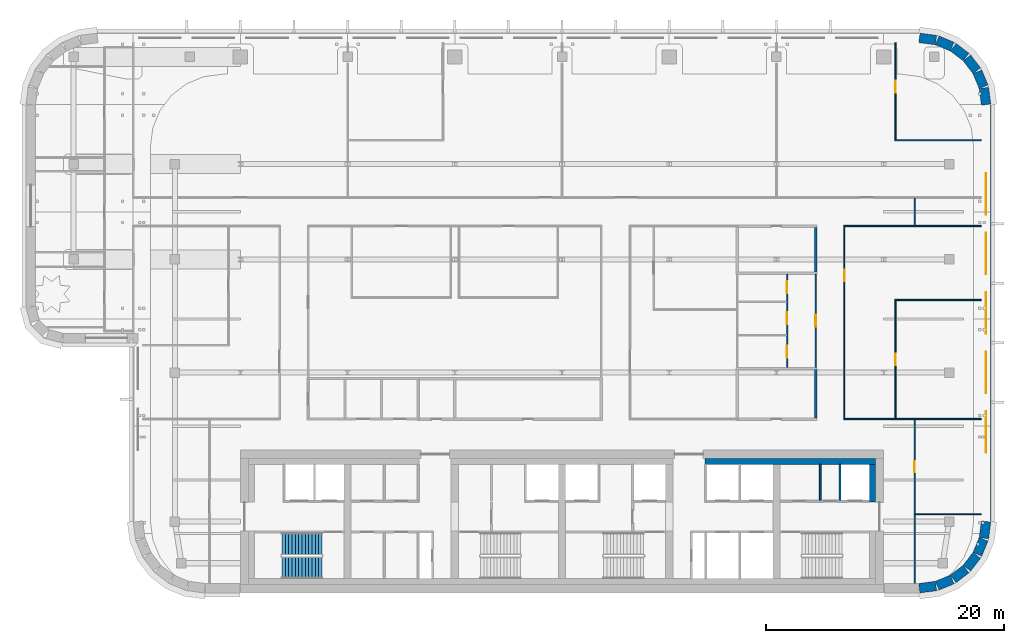
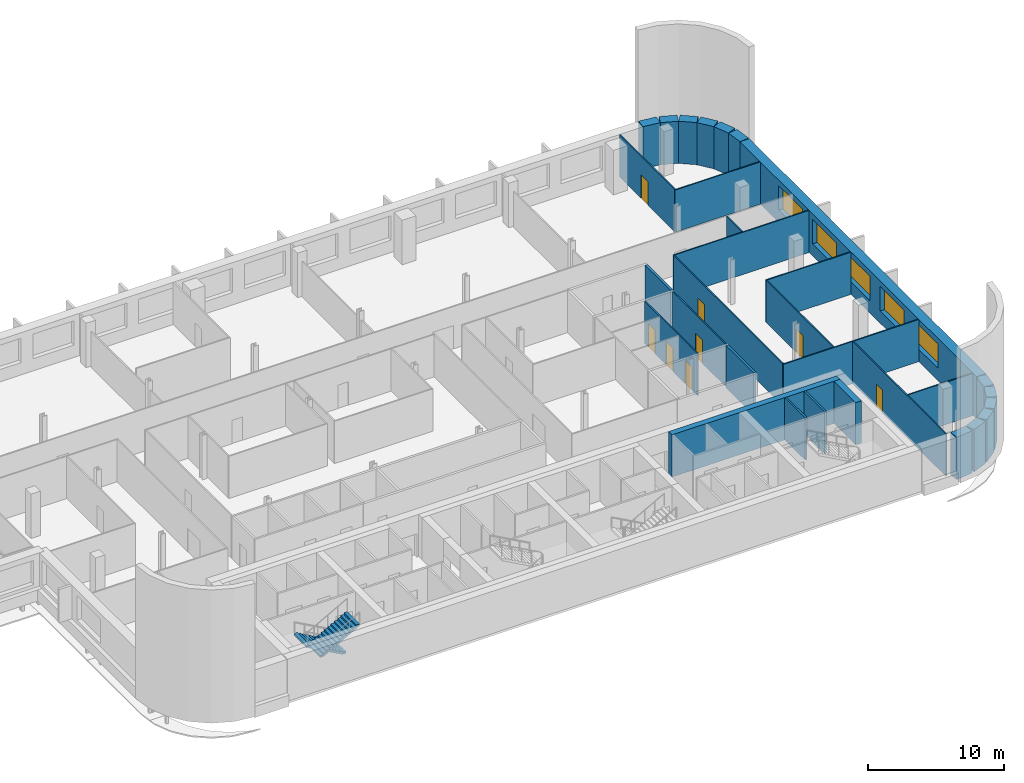
# One storey, part 11 of 19: 31 walls, 8 doors, 5 windows, 2 stair flights, 13 openings, 1 element without a shape of its own.
"""IFC4 building model written with IfcOpenShell, lengths in metres."""

import ifcopenshell
import ifcopenshell.guid

model = None  # the IFC model being written
_history = None  # IfcOwnerHistory: only IFC2X3 demands one
_inside = {}  # id of a spatial element -> (the spatial element, [elements in it])
_under = {}  # id of a project, library or spatial element -> (it, [spatial elements below it])
_declared = {}  # id of a project -> (the project, [libraries it declares])
_typed = {}  # id of a type object -> (the type object, [elements of that type])
_made_of = {}  # id of a material, layer set ... -> (it, [elements and type objects made of it])


def new_model(schema):
    """Start an empty IFC model of exactly this schema.

    Asked for "IFC4X3", IfcOpenShell would pick the latest addendum, in which some entities
    have other attributes; the version numbers below select the first issue.
    IFC2X3 requires an IfcOwnerHistory on every rooted entity: one is made here for all.
    """
    global model, _history
    if schema == "IFC4X3":
        model = ifcopenshell.file(schema_version=(4, 3, 0, 0))
    else:
        model = ifcopenshell.file(schema=schema)
    _inside.clear()
    _under.clear()
    _declared.clear()
    _typed.clear()
    _made_of.clear()
    _history = None
    if model.schema == "IFC2X3":
        org = make("IfcOrganization", Name="unknown")
        user = make(
            "IfcPersonAndOrganization",
            ThePerson=make("IfcPerson", FamilyName="unknown"),
            TheOrganization=org,
        )
        app = make(
            "IfcApplication",
            ApplicationDeveloper=org,
            Version="unknown",
            ApplicationFullName="unknown",
            ApplicationIdentifier="unknown",
        )
        _history = make(
            "IfcOwnerHistory",
            OwningUser=user,
            OwningApplication=app,
            ChangeAction="ADDED",
            CreationDate=0,
        )
    return model


def make(cls, **values):
    """One entity of the class cls with the attributes given. An attribute that is None is left unset."""
    return model.create_entity(
        cls, **{name: value for name, value in values.items() if value is not None}
    )


def rooted(cls, **values):
    """An entity with a GlobalId (a new one), such as an element, a storey or a relation."""
    return make(cls, GlobalId=ifcopenshell.guid.new(), OwnerHistory=_history, **values)


def si_unit(unit_type, name, prefix=None):
    """IfcSIUnit, for example si_unit("LENGTHUNIT", "METRE", prefix="MILLI")."""
    return make("IfcSIUnit", UnitType=unit_type, Prefix=prefix, Name=name)


def assignment(units):
    """IfcUnitAssignment: the units of a project."""
    return None if units is None else make("IfcUnitAssignment", Units=units)


def point(xyz):
    """IfcCartesianPoint."""
    return None if xyz is None else make("IfcCartesianPoint", Coordinates=xyz)


def direction(xyz):
    """IfcDirection."""
    return None if xyz is None else make("IfcDirection", DirectionRatios=xyz)


def frame(location, z_axis=None, x_axis=None):
    """IfcAxis2Placement3D, a coordinate frame: its origin and axes. An axis left out is left unset."""
    return make(
        "IfcAxis2Placement3D",
        Location=point(location),
        Axis=direction(z_axis),
        RefDirection=direction(x_axis),
    )


def frame_2d(location, x_axis=None):
    """IfcAxis2Placement2D, a coordinate frame in the plane: its origin and x axis."""
    return make(
        "IfcAxis2Placement2D", Location=point(location), RefDirection=direction(x_axis)
    )


def origin():
    """The frame at (0, 0, 0) with its axes left unset."""
    return frame((0.0, 0.0, 0.0))


def place(relative_to, where):
    """IfcLocalPlacement: puts the frame where relative to a parent placement (None: the world)."""
    return make(
        "IfcLocalPlacement", PlacementRelTo=relative_to, RelativePlacement=where
    )


def context(
    kind, dimensions, precision=None, world=None, true_north=None, identifier=None
):
    """IfcGeometricRepresentationContext, for example the 3D "Model" context."""
    return make(
        "IfcGeometricRepresentationContext",
        ContextIdentifier=identifier,
        ContextType=kind,
        CoordinateSpaceDimension=dimensions,
        Precision=precision,
        WorldCoordinateSystem=world,
        TrueNorth=true_north,
    )


def subcontext(parent, identifier, kind, view, scale=None):
    """IfcGeometricRepresentationSubContext, for example "Body" below "Model"."""
    return make(
        "IfcGeometricRepresentationSubContext",
        ContextIdentifier=identifier,
        ContextType=kind,
        ParentContext=parent,
        TargetScale=scale,
        TargetView=view,
    )


def project(units=None, contexts=None):
    """IfcProject with its units and contexts."""
    return rooted(
        "IfcProject",
        Name="project",
        RepresentationContexts=contexts,
        UnitsInContext=assignment(units),
    )


def spatial(cls, under=None, at=None, **own):
    """A site, building, storey or space (cls), placed at a placement, below another one or the project."""
    s = rooted(cls, ObjectPlacement=at, **own)
    if under is not None:
        _under.setdefault(under.id(), (under, []))[1].append(s)
    return s


def polyline(points):
    """IfcPolyline through the points."""
    return make("IfcPolyline", Points=[point(p) for p in points])


def profile(cls, at=None, kind="AREA", **sizes):
    """A parametric profile (cls). Its sizes go by their IFC names, for example OverallWidth=200.0."""
    return make(cls, ProfileType=kind, Position=at, **sizes)


def rectangle(**sizes):
    """IfcRectangleProfileDef."""
    return profile("IfcRectangleProfileDef", **sizes)


def outline(outer, holes=None, kind="AREA"):
    """IfcArbitraryClosedProfileDef: a profile drawn as a closed curve; with holes, ...WithVoids."""
    if holes is None:
        return make("IfcArbitraryClosedProfileDef", ProfileType=kind, OuterCurve=outer)
    return make(
        "IfcArbitraryProfileDefWithVoids",
        ProfileType=kind,
        OuterCurve=outer,
        InnerCurves=holes,
    )


def extrude(swept, where, along, depth):
    """IfcExtrudedAreaSolid: the profile swept, set in the frame where, extruded along a direction by depth."""
    return make(
        "IfcExtrudedAreaSolid",
        SweptArea=swept,
        Position=where,
        ExtrudedDirection=direction(along),
        Depth=depth,
    )


def shape(context_of_items, identifier, shape_type, items):
    """IfcShapeRepresentation: the items that make up one representation, for example the "Body"."""
    return make(
        "IfcShapeRepresentation",
        ContextOfItems=context_of_items,
        RepresentationIdentifier=identifier,
        RepresentationType=shape_type,
        Items=items,
    )


def material(Name=None, Category=None):
    """IfcMaterial."""
    return make("IfcMaterial", Name=Name, Category=Category)


def layer(
    of_material, thickness, ventilated=None, Name=None, Category=None, Priority=None
):
    """IfcMaterialLayer: one layer of a wall or slab, of a material (None: an air gap)."""
    return make(
        "IfcMaterialLayer",
        Material=of_material,
        LayerThickness=thickness,
        IsVentilated=ventilated,
        Name=Name,
        Category=Category,
        Priority=Priority,
    )


def layer_set(layers, Name=None):
    """IfcMaterialLayerSet."""
    return make("IfcMaterialLayerSet", MaterialLayers=layers, LayerSetName=Name)


def made_of(thing, what):
    """Note that an element or type object is made of a material, layer set ...; save() writes the relation."""
    if what is not None:
        _made_of.setdefault(what.id(), (what, []))[1].append(thing)
    return thing


def type_object(cls, material=None, **own):
    """A type object (cls), such as IfcWallType, which elements share."""
    return made_of(rooted(cls, **own), material)


def element(
    cls,
    number,
    at=None,
    inside=None,
    cuts=None,
    type_object=None,
    material=None,
    context=None,
    identifier="Body",
    shape_type=None,
    held_by="IfcProductDefinitionShape",
    body=None,
    shapes=None,
    **own,
):
    """One element of the class cls, such as IfcWall. Its Tag is "e" and its number.

    at: its placement. inside: the storey or other place that contains it. cuts: it is an
    opening in that element (IfcRelVoidsElement). A single representation is given by context,
    identifier, shape_type and body (its items); several are given by shapes. held_by: the class
    of the entity that holds the representations. save() writes the other relations.
    """
    e = rooted(cls, Tag="e%d" % number, ObjectPlacement=at, **own)
    if body is not None:
        shapes = [shape(context, identifier, shape_type, body)]
    if shapes is not None:
        e.Representation = make(held_by, Representations=shapes)
    if inside is not None:
        _inside.setdefault(inside.id(), (inside, []))[1].append(e)
    if cuts is not None:
        rooted(
            "IfcRelVoidsElement", RelatingBuildingElement=cuts, RelatedOpeningElement=e
        )
    if type_object is not None:
        _typed.setdefault(type_object.id(), (type_object, []))[1].append(e)
    return made_of(e, material)


def fill(opening, filler):
    """IfcRelFillsElement: the door or window that sits in an opening."""
    return rooted(
        "IfcRelFillsElement",
        RelatingOpeningElement=opening,
        RelatedBuildingElement=filler,
    )


def aggregate(whole, parts):
    """IfcRelAggregates: a whole, such as a stair, and the parts it consists of."""
    return rooted("IfcRelAggregates", RelatingObject=whole, RelatedObjects=parts)


def save(model, path):
    """Write the relations noted so far, then the file.

    IfcRelAggregates (storeys below a building ...), IfcRelContainedInSpatialStructure (elements
    in a storey), IfcRelDefinesByType, IfcRelAssociatesMaterial and IfcRelDeclares: one each for
    every whole, place, type object, material and project.
    """
    for whole, parts in _under.values():
        aggregate(whole, parts)
    for where, things in _inside.values():
        rooted(
            "IfcRelContainedInSpatialStructure",
            RelatedElements=things,
            RelatingStructure=where,
        )
    for kind, things in _typed.values():
        rooted("IfcRelDefinesByType", RelatedObjects=things, RelatingType=kind)
    for what, things in _made_of.values():
        rooted("IfcRelAssociatesMaterial", RelatedObjects=things, RelatingMaterial=what)
    for by, libraries in _declared.values():
        rooted("IfcRelDeclares", RelatingContext=by, RelatedDefinitions=libraries)
    model.write(path)


model = new_model("IFC4")

# Units and contexts
model_context = context("Model", 3, precision=1e-05, world=origin(), true_north=direction((0.0, 1.0)))
body_context = subcontext(model_context, "Body", "Model", "MODEL_VIEW")
ifc_project = project(units=[si_unit("LENGTHUNIT", "METRE"), si_unit("AREAUNIT", "SQUARE_METRE"), si_unit("VOLUMEUNIT", "CUBIC_METRE"), si_unit("PLANEANGLEUNIT", "RADIAN"), si_unit("MASSUNIT", "GRAM", prefix="KILO")], contexts=[model_context])

# Site, building, storey
site_placement = place(None, origin())
site = spatial("IfcSite", under=ifc_project, at=site_placement, CompositionType="ELEMENT")
building_placement = place(site_placement, origin())
building = spatial("IfcBuilding", under=site, at=building_placement, Name="Zellij Exchange Tower", CompositionType="ELEMENT")
storey_placement = place(building_placement, frame((0.0, 0.0, 220.5)))
storey = spatial("IfcBuildingStorey", under=building, at=storey_placement, Name="L51", CompositionType="ELEMENT", Elevation=220.5)

# Walls
ifc_material_1 = material(Name="Concrete C30/37", Category="concrete")
ifc_layer_1 = layer(ifc_material_1, 0.5)
ifc_layer_set_1 = layer_set([ifc_layer_1], Name="Concrete C30/37")
wall_type_1 = type_object("IfcWallType", Name="CORE-LW 500 C30/37", PredefinedType="SHEAR", material=ifc_layer_set_1)
wall_1_placement = place(storey_placement, frame((12.0, -2.949951171875, 0.0), z_axis=(0.0, 0.0, 1.0), x_axis=(1.0, 0.0, 0.0)))
element("IfcWall", 1, at=wall_1_placement, inside=storey, type_object=wall_type_1, Name="Core wall lining front.2 L51", PredefinedType="SHEAR", context=body_context, shape_type="SweptSolid", body=[
    extrude(rectangle(XDim=14.300048828125, YDim=0.5, at=frame_2d((7.14990234375, 0.0))), origin(), (0.0, 0.0, 1.0), 3.800048828125),
])
wall_2_placement = place(storey_placement, frame((26.050048828125, -6.375, 0.0), z_axis=(0.0, 0.0, 1.0), x_axis=(0.0, 1.0, 0.0)))
element("IfcWall", 2, at=wall_2_placement, inside=storey, type_object=wall_type_1, Name="Core wall lining end e.1 L51", PredefinedType="SHEAR", context=body_context, shape_type="SweptSolid", body=[
    extrude(rectangle(XDim=3.175048828125, YDim=0.5, at=frame_2d((1.58740234375, 0.0))), origin(), (0.0, 0.0, 1.0), 3.800048828125),
])
ifc_material_2 = material(Name="Gypsum board partition")
ifc_layer_2 = layer(ifc_material_2, 0.14990234375)
ifc_layer_set_2 = layer_set([ifc_layer_2], Name="Gypsum board partition")
wall_type_2 = type_object("IfcWallType", Name="CORE-PW 150 Lift lobby wall", PredefinedType="PARTITIONING", material=ifc_layer_set_2)
wall_3_placement = place(storey_placement, frame((21.675048828125, -6.22509765625, 0.0), z_axis=(0.0, 0.0, 1.0), x_axis=(0.0, 1.0, 0.0)))
element("IfcWall", 3, at=wall_3_placement, inside=storey, type_object=wall_type_2, Name="Lift lobby wall L51", PredefinedType="PARTITIONING", context=body_context, shape_type="SweptSolid", body=[
    extrude(rectangle(XDim=3.025146484375, YDim=0.14990234375, at=frame_2d((1.5126953125, 0.0))), origin(), (0.0, 0.0, 1.0), 3.800048828125),
])
ifc_material_3 = material(Name="Gypsum shaft wall system")
ifc_layer_3 = layer(ifc_material_3, 0.14990234375)
ifc_layer_set_3 = layer_set([ifc_layer_3], Name="Gypsum shaft wall system")
wall_type_3 = type_object("IfcWallType", Name="CORE-PW 150 Lift shaft wall", PredefinedType="PARTITIONING", material=ifc_layer_set_3)
wall_4_placement = place(storey_placement, frame((23.324951171875, -6.22509765625, 0.0), z_axis=(0.0, 0.0, 1.0), x_axis=(0.0, 1.0, 0.0)))
element("IfcWall", 4, at=wall_4_placement, inside=storey, type_object=wall_type_3, Name="Lift shaft wall L51", PredefinedType="PARTITIONING", context=body_context, shape_type="SweptSolid", body=[
    extrude(rectangle(XDim=3.025146484375, YDim=0.14990234375, at=frame_2d((1.5126953125, 0.0))), origin(), (0.0, 0.0, 1.0), 3.800048828125),
])
ifc_material_4 = material(Name="Precast concrete C40/50", Category="concrete")
ifc_layer_4 = layer(ifc_material_4, 0.800048828125)
ifc_layer_set_4 = layer_set([ifc_layer_4], Name="Precast concrete C40/50")
wall_type_4 = type_object("IfcWallType", Name="ENV-EW1 Precast stone-piered wall 800", PredefinedType="SOLIDWALL", material=ifc_layer_set_4)
wall_5_placement = place(storey_placement, frame((29.999755859375, -13.5966796875, 0.0), z_axis=(0.0, 0.0, 1.0), x_axis=(0.99144603414, 0.130517283865, 0.0)))
element("IfcWall", 5, at=wall_5_placement, inside=storey, type_object=wall_type_4, Name="fac.L51.01", PredefinedType="SOLIDWALL", context=body_context, shape_type="SweptSolid", body=[
    extrude(rectangle(XDim=1.408447265625, YDim=0.800048828125, at=frame_2d((0.7041015625, 0.0))), origin(), (0.0, 0.0, 1.0), 3.800048828125),
])
wall_6_placement = place(storey_placement, frame((31.497314453125, -13.3857421875, 0.0), z_axis=(0.0, 0.0, 1.0), x_axis=(0.923847774587, 0.38276009378, 0.0)))
element("IfcWall", 6, at=wall_6_placement, inside=storey, type_object=wall_type_4, Name="fac.L51.02", PredefinedType="SOLIDWALL", context=body_context, shape_type="SweptSolid", body=[
    extrude(rectangle(XDim=1.35546875, YDim=0.800048828125, at=frame_2d((0.677734375, 0.0))), origin(), (0.0, 0.0, 1.0), 3.800048828125),
])
for number, where, z_axis, x_axis, name in (
    (7, (32.840087890625, -12.814697265625, 0.0), (0.0, 0.0, 1.0), (0.793272915452, 0.608866226366, 0.0), "fac.L51.03"),
    (8, (33.9892578125, -11.91552734375, 0.0), (0.0, 0.0, 1.0), (0.608866226366, 0.793272915452, 0.0), "fac.L51.04"),
):
    element("IfcWall", number, at=place(storey_placement, frame(where, z_axis=z_axis, x_axis=x_axis)), inside=storey, type_object=wall_type_4, Name=name, PredefinedType="SOLIDWALL", context=body_context, shape_type="SweptSolid", body=[
        extrude(rectangle(XDim=1.355712890625, YDim=0.800048828125, at=frame_2d((0.677734375, 0.0))), origin(), (0.0, 0.0, 1.0), 3.800048828125),
    ])
wall_7_placement = place(storey_placement, frame((34.866943359375, -10.74951171875, 0.0), z_axis=(0.0, 0.0, 1.0), x_axis=(0.38276009378, 0.923847774587, 0.0)))
element("IfcWall", 9, at=wall_7_placement, inside=storey, type_object=wall_type_4, Name="fac.L51.05", PredefinedType="SOLIDWALL", context=body_context, shape_type="SweptSolid", body=[
    extrude(rectangle(XDim=1.35546875, YDim=0.800048828125, at=frame_2d((0.677734375, 0.0))), origin(), (0.0, 0.0, 1.0), 3.800048828125),
])
wall_8_placement = place(storey_placement, frame((35.412841796875, -9.396240234375, 0.0), z_axis=(0.0, 0.0, 1.0), x_axis=(0.130517283865, 0.99144603414, 0.0)))
element("IfcWall", 10, at=wall_8_placement, inside=storey, type_object=wall_type_4, Name="fac.L51.06", PredefinedType="SOLIDWALL", context=body_context, shape_type="SweptSolid", body=[
    extrude(rectangle(XDim=1.408447265625, YDim=0.800048828125, at=frame_2d((0.7041015625, 0.0))), origin(), (0.0, 0.0, 1.0), 3.800048828125),
])

# Wall, openings, windows
wall_9_placement = place(storey_placement, frame((35.60009765625, -7.947509765625, 0.0), z_axis=(0.0, 0.0, 1.0), x_axis=(0.0, 1.0, 0.0)))
wall_9 = element("IfcWall", 11, at=wall_9_placement, inside=storey, type_object=wall_type_4, Name="fac.L51.07", PredefinedType="SOLIDWALL", context=body_context, shape_type="SweptSolid", body=[
    extrude(rectangle(XDim=34.89501953125, YDim=0.800048828125, at=frame_2d((17.447509765625, 0.0))), origin(), (0.0, 0.0, 1.0), 3.800048828125),
])
opening_1_placement = place(wall_9_placement, frame((5.71240234375, 0.0, 1.10009765625)))
opening_1 = element("IfcOpeningElement", 12, at=opening_1_placement, cuts=wall_9, Name="Opening FZ4.01", PredefinedType="OPENING", context=body_context, shape_type="SweptSolid", body=[
    extrude(rectangle(XDim=3.5, YDim=2.199951171875, at=frame_2d((1.75, 1.10009765625))), frame((0.0, 0.412109375, 0.0), z_axis=(0.0, -1.0, 0.0), x_axis=(1.0, 0.0, 0.0)), (0.0, 0.0, 1.0), 0.823974609375),
])
opening_2_placement = place(wall_9_placement, frame((10.705078125, 0.0, 1.10009765625)))
opening_2 = element("IfcOpeningElement", 13, at=opening_2_placement, cuts=wall_9, Name="Opening FZ4.02", PredefinedType="OPENING", context=body_context, shape_type="SweptSolid", body=[
    extrude(rectangle(XDim=3.5, YDim=2.199951171875, at=frame_2d((1.75, 1.10009765625))), frame((0.0, 0.412109375, 0.0), z_axis=(0.0, -1.0, 0.0), x_axis=(1.0, 0.0, 0.0)), (0.0, 0.0, 1.0), 0.823974609375),
])
opening_3_placement = place(wall_9_placement, frame((15.697509765625, 0.0, 1.10009765625)))
opening_3 = element("IfcOpeningElement", 14, at=opening_3_placement, cuts=wall_9, Name="Opening FZ4.03", PredefinedType="OPENING", context=body_context, shape_type="SweptSolid", body=[
    extrude(rectangle(XDim=3.5, YDim=2.199951171875, at=frame_2d((1.75, 1.10009765625))), frame((0.0, 0.412109375, 0.0), z_axis=(0.0, -1.0, 0.0), x_axis=(1.0, 0.0, 0.0)), (0.0, 0.0, 1.0), 0.823974609375),
])
opening_4_placement = place(wall_9_placement, frame((20.690185546875, 0.0, 1.10009765625)))
opening_4 = element("IfcOpeningElement", 15, at=opening_4_placement, cuts=wall_9, Name="Opening FZ4.04", PredefinedType="OPENING", context=body_context, shape_type="SweptSolid", body=[
    extrude(rectangle(XDim=3.5, YDim=2.199951171875, at=frame_2d((1.75, 1.10009765625))), frame((0.0, 0.412109375, 0.0), z_axis=(0.0, -1.0, 0.0), x_axis=(1.0, 0.0, 0.0)), (0.0, 0.0, 1.0), 0.823974609375),
])
opening_5_placement = place(wall_9_placement, frame((25.6826171875, 0.0, 1.10009765625)))
opening_5 = element("IfcOpeningElement", 16, at=opening_5_placement, cuts=wall_9, Name="Opening FZ4.05", PredefinedType="OPENING", context=body_context, shape_type="SweptSolid", body=[
    extrude(rectangle(XDim=3.5, YDim=2.199951171875, at=frame_2d((1.75, 1.10009765625))), frame((0.0, 0.412109375, 0.0), z_axis=(0.0, -1.0, 0.0), x_axis=(1.0, 0.0, 0.0)), (0.0, 0.0, 1.0), 0.823974609375),
])
ifc_material_5 = material(Name="Aluminium frame with insulating glass", Category="aluminium")
window_type = type_object("IfcWindowType", Name="ENV-W7 Window 3500x2200", PartitioningType="SINGLE_PANEL", PredefinedType="WINDOW", material=ifc_material_5)
window_1_placement = place(opening_1_placement, origin())
window_1 = element("IfcWindow", 17, at=window_1_placement, inside=storey, type_object=window_type, Name="Window FZ4.01", OverallHeight=2.199951171875, OverallWidth=3.5, PartitioningType="SINGLE_PANEL", PredefinedType="WINDOW", context=body_context, shape_type="SweptSolid", body=[
    extrude(rectangle(XDim=3.5, YDim=2.199951171875, at=frame_2d((1.75, 1.10009765625))), frame((0.0, 0.030029296875, 0.0), z_axis=(0.0, -1.0, 0.0), x_axis=(1.0, 0.0, 0.0)), (0.0, 0.0, 1.0), 0.06005859375),
])
fill(opening_1, window_1)
window_2_placement = place(opening_2_placement, origin())
window_2 = element("IfcWindow", 18, at=window_2_placement, inside=storey, type_object=window_type, Name="Window FZ4.02", OverallHeight=2.199951171875, OverallWidth=3.5, PartitioningType="SINGLE_PANEL", PredefinedType="WINDOW", context=body_context, shape_type="SweptSolid", body=[
    extrude(rectangle(XDim=3.5, YDim=2.199951171875, at=frame_2d((1.75, 1.10009765625))), frame((0.0, 0.030029296875, 0.0), z_axis=(0.0, -1.0, 0.0), x_axis=(1.0, 0.0, 0.0)), (0.0, 0.0, 1.0), 0.06005859375),
])
fill(opening_2, window_2)
window_3_placement = place(opening_3_placement, origin())
window_3 = element("IfcWindow", 19, at=window_3_placement, inside=storey, type_object=window_type, Name="Window FZ4.03", OverallHeight=2.199951171875, OverallWidth=3.5, PartitioningType="SINGLE_PANEL", PredefinedType="WINDOW", context=body_context, shape_type="SweptSolid", body=[
    extrude(rectangle(XDim=3.5, YDim=2.199951171875, at=frame_2d((1.75, 1.10009765625))), frame((0.0, 0.030029296875, 0.0), z_axis=(0.0, -1.0, 0.0), x_axis=(1.0, 0.0, 0.0)), (0.0, 0.0, 1.0), 0.06005859375),
])
fill(opening_3, window_3)
window_4_placement = place(opening_4_placement, origin())
window_4 = element("IfcWindow", 20, at=window_4_placement, inside=storey, type_object=window_type, Name="Window FZ4.04", OverallHeight=2.199951171875, OverallWidth=3.5, PartitioningType="SINGLE_PANEL", PredefinedType="WINDOW", context=body_context, shape_type="SweptSolid", body=[
    extrude(rectangle(XDim=3.5, YDim=2.199951171875, at=frame_2d((1.75, 1.10009765625))), frame((0.0, 0.030029296875, 0.0), z_axis=(0.0, -1.0, 0.0), x_axis=(1.0, 0.0, 0.0)), (0.0, 0.0, 1.0), 0.06005859375),
])
fill(opening_4, window_4)
window_5_placement = place(opening_5_placement, origin())
window_5 = element("IfcWindow", 21, at=window_5_placement, inside=storey, type_object=window_type, Name="Window FZ4.05", OverallHeight=2.199951171875, OverallWidth=3.5, PartitioningType="SINGLE_PANEL", PredefinedType="WINDOW", context=body_context, shape_type="SweptSolid", body=[
    extrude(rectangle(XDim=3.5, YDim=2.199951171875, at=frame_2d((1.75, 1.10009765625))), frame((0.0, 0.030029296875, 0.0), z_axis=(0.0, -1.0, 0.0), x_axis=(1.0, 0.0, 0.0)), (0.0, 0.0, 1.0), 0.06005859375),
])
fill(opening_5, window_5)

# Walls
wall_10_placement = place(storey_placement, frame((35.5966796875, 26.999755859375, 0.0), z_axis=(0.0, 0.0, 1.0), x_axis=(-0.130517283865, 0.99144603414, 0.0)))
element("IfcWall", 22, at=wall_10_placement, inside=storey, type_object=wall_type_4, Name="fac.L51.08", PredefinedType="SOLIDWALL", context=body_context, shape_type="SweptSolid", body=[
    extrude(rectangle(XDim=1.408447265625, YDim=0.800048828125, at=frame_2d((0.7041015625, 0.0))), origin(), (0.0, 0.0, 1.0), 3.800048828125),
])
wall_11_placement = place(storey_placement, frame((35.3857421875, 28.497314453125, 0.0), z_axis=(0.0, 0.0, 1.0), x_axis=(-0.38276009378, 0.923847774587, 0.0)))
element("IfcWall", 23, at=wall_11_placement, inside=storey, type_object=wall_type_4, Name="fac.L51.09", PredefinedType="SOLIDWALL", context=body_context, shape_type="SweptSolid", body=[
    extrude(rectangle(XDim=1.35546875, YDim=0.800048828125, at=frame_2d((0.677734375, 0.0))), origin(), (0.0, 0.0, 1.0), 3.800048828125),
])
for number, where, z_axis, x_axis, name in (
    (24, (34.814697265625, 29.840087890625, 0.0), (0.0, 0.0, 1.0), (-0.608866226366, 0.793272915452, 0.0), "fac.L51.10"),
    (25, (33.91552734375, 30.9892578125, 0.0), (0.0, 0.0, 1.0), (-0.793272915452, 0.608866226366, 0.0), "fac.L51.11"),
):
    element("IfcWall", number, at=place(storey_placement, frame(where, z_axis=z_axis, x_axis=x_axis)), inside=storey, type_object=wall_type_4, Name=name, PredefinedType="SOLIDWALL", context=body_context, shape_type="SweptSolid", body=[
        extrude(rectangle(XDim=1.355712890625, YDim=0.800048828125, at=frame_2d((0.677734375, 0.0))), origin(), (0.0, 0.0, 1.0), 3.800048828125),
    ])
wall_12_placement = place(storey_placement, frame((32.74951171875, 31.866943359375, 0.0), z_axis=(0.0, 0.0, 1.0), x_axis=(-0.923847774587, 0.38276009378, 0.0)))
element("IfcWall", 26, at=wall_12_placement, inside=storey, type_object=wall_type_4, Name="fac.L51.12", PredefinedType="SOLIDWALL", context=body_context, shape_type="SweptSolid", body=[
    extrude(rectangle(XDim=1.35546875, YDim=0.800048828125, at=frame_2d((0.677734375, 0.0))), origin(), (0.0, 0.0, 1.0), 3.800048828125),
])
wall_13_placement = place(storey_placement, frame((31.396240234375, 32.412841796875, 0.0), z_axis=(0.0, 0.0, 1.0), x_axis=(-0.99144603414, 0.130517283865, 0.0)))
element("IfcWall", 27, at=wall_13_placement, inside=storey, type_object=wall_type_4, Name="fac.L51.13", PredefinedType="SOLIDWALL", context=body_context, shape_type="SweptSolid", body=[
    extrude(rectangle(XDim=1.408447265625, YDim=0.800048828125, at=frame_2d((0.7041015625, 0.0))), origin(), (0.0, 0.0, 1.0), 3.800048828125),
])
ifc_material_6 = material(Name="Blockwork partition", Category="masonry")
ifc_layer_5 = layer(ifc_material_6, 0.199951171875)
ifc_layer_set_5 = layer_set([ifc_layer_5], Name="Blockwork partition")
wall_type_5 = type_object("IfcWallType", Name="FIT-BLOCKWORK-200", PredefinedType="PARTITIONING", material=ifc_layer_set_5)
wall_14_placement = place(storey_placement, frame((21.300048828125, 0.699951171875, 0.0), z_axis=(0.0, 0.0, 1.0), x_axis=(0.0, 1.0, 0.0)))
element("IfcWall", 28, at=wall_14_placement, inside=storey, type_object=wall_type_5, Name="FIT-BLOCKWORK-200 018", PredefinedType="PARTITIONING", context=body_context, shape_type="SweptSolid", body=[
    extrude(rectangle(XDim=4.050048828125, YDim=0.199951171875, at=frame_2d((2.02490234375, 0.0))), origin(), (0.0, 0.0, 1.0), 3.800048828125),
])
wall_15_placement = place(storey_placement, frame((21.300048828125, 12.949951171875, 0.0), z_axis=(0.0, 0.0, 1.0), x_axis=(0.0, 1.0, 0.0)))
element("IfcWall", 29, at=wall_15_placement, inside=storey, type_object=wall_type_5, Name="FIT-BLOCKWORK-200 049", PredefinedType="PARTITIONING", context=body_context, shape_type="SweptSolid", body=[
    extrude(rectangle(XDim=3.75, YDim=0.199951171875, at=frame_2d((1.875, 0.0))), origin(), (0.0, 0.0, 1.0), 3.800048828125),
])

# Wall, opening, door
ifc_material_7 = material(Name="Gypsum board partition on steel studs", Category="steel")
ifc_layer_6 = layer(ifc_material_7, 0.10009765625)
ifc_layer_set_6 = layer_set([ifc_layer_6], Name="Gypsum board partition on steel studs")
wall_type_6 = type_object("IfcWallType", Name="FIT-PARTITION-100", PredefinedType="PARTITIONING", material=ifc_layer_set_6)
wall_16_placement = place(storey_placement, frame((29.60009765625, -13.199951171875, 0.0), z_axis=(0.0, 0.0, 1.0), x_axis=(0.0, 1.0, 0.0)))
wall_16 = element("IfcWall", 30, at=wall_16_placement, inside=storey, type_object=wall_type_6, Name="FIT-PARTITION-100 002", PredefinedType="PARTITIONING", context=body_context, shape_type="SweptSolid", body=[
    extrude(rectangle(XDim=13.75, YDim=0.10009765625, at=frame_2d((6.875, 0.0))), origin(), (0.0, 0.0, 1.0), 3.800048828125),
])
opening_6_placement = place(wall_16_placement, frame((9.35009765625, 0.0, 0.0)))
opening_6 = element("IfcOpeningElement", 31, at=opening_6_placement, cuts=wall_16, Name="Opening O4A.02", PredefinedType="OPENING", context=body_context, shape_type="SweptSolid", body=[
    extrude(rectangle(XDim=0.89990234375, YDim=2.10009765625, at=frame_2d((0.449951171875, 1.050048828125))), frame((0.0, 0.06201171875, 0.0), z_axis=(0.0, -1.0, 0.0), x_axis=(1.0, 0.0, 0.0)), (0.0, 0.0, 1.0), 0.1240234375),
])
ifc_material_8 = material(Name="Timber door set", Category="wood")
door_type_1 = type_object("IfcDoorType", Name="FIT-D1-ROOM-900X2100", OperationType="SINGLE_SWING_LEFT", PredefinedType="DOOR", material=ifc_material_8)
door_1_placement = place(opening_6_placement, origin())
door_1 = element("IfcDoor", 32, at=door_1_placement, inside=storey, type_object=door_type_1, Name="Door O4A.02", OperationType="SINGLE_SWING_LEFT", OverallHeight=2.10009765625, OverallWidth=0.89990234375, PredefinedType="DOOR", context=body_context, shape_type="SweptSolid", body=[
    extrude(rectangle(XDim=0.89990234375, YDim=2.10009765625, at=frame_2d((0.449951171875, 1.050048828125))), frame((0.0, 0.02490234375, 0.0), z_axis=(0.0, -1.0, 0.0), x_axis=(1.0, 0.0, 0.0)), (0.0, 0.0, 1.0), 0.050048828125),
])
fill(opening_6, door_1)

# Walls
wall_17_placement = place(storey_placement, frame((29.64990234375, -7.39990234375, 0.0), z_axis=(0.0, 0.0, 1.0), x_axis=(1.0, 0.0, 0.0)))
element("IfcWall", 33, at=wall_17_placement, inside=storey, type_object=wall_type_6, Name="FIT-PARTITION-100 003", PredefinedType="PARTITIONING", context=body_context, shape_type="SweptSolid", body=[
    extrude(rectangle(XDim=5.550048828125, YDim=0.10009765625, at=frame_2d((2.77490234375, 0.0))), origin(), (0.0, 0.0, 1.0), 3.800048828125),
])
wall_18_placement = place(storey_placement, frame((23.64990234375, 0.60009765625, 0.0), z_axis=(0.0, 0.0, 1.0), x_axis=(1.0, 0.0, 0.0)))
element("IfcWall", 34, at=wall_18_placement, inside=storey, type_object=wall_type_6, Name="FIT-PARTITION-100 019", PredefinedType="PARTITIONING", context=body_context, shape_type="SweptSolid", body=[
    extrude(rectangle(XDim=11.550048828125, YDim=0.10009765625, at=frame_2d((5.77490234375, 0.0))), origin(), (0.0, 0.0, 1.0), 3.800048828125),
])

# Wall, opening, door
wall_19_placement = place(storey_placement, frame((23.699951171875, 0.64990234375, 0.0), z_axis=(0.0, 0.0, 1.0), x_axis=(0.0, 1.0, 0.0)))
wall_19 = element("IfcWall", 35, at=wall_19_placement, inside=storey, type_object=wall_type_6, Name="FIT-PARTITION-100 020", PredefinedType="PARTITIONING", context=body_context, shape_type="SweptSolid", body=[
    extrude(rectangle(XDim=16.10009765625, YDim=0.10009765625, at=frame_2d((8.050048828125, 0.0))), origin(), (0.0, 0.0, 1.0), 3.800048828125),
])
opening_7_placement = place(wall_19_placement, frame((11.5, 0.0, 0.0)))
opening_7 = element("IfcOpeningElement", 36, at=opening_7_placement, cuts=wall_19, Name="Opening O4A.19", PredefinedType="OPENING", context=body_context, shape_type="SweptSolid", body=[
    extrude(rectangle(XDim=1.0, YDim=2.10009765625, at=frame_2d((0.5, 1.050048828125))), frame((0.0, 0.06201171875, 0.0), z_axis=(0.0, -1.0, 0.0), x_axis=(1.0, 0.0, 0.0)), (0.0, 0.0, 1.0), 0.1240234375),
])
door_type_2 = type_object("IfcDoorType", Name="FIT-D2-WIDE-1000X2100", OperationType="SINGLE_SWING_LEFT", PredefinedType="DOOR", material=ifc_material_8)
door_2_placement = place(opening_7_placement, origin())
door_2 = element("IfcDoor", 37, at=door_2_placement, inside=storey, type_object=door_type_2, Name="Door O4A.19", OperationType="SINGLE_SWING_RIGHT", OverallHeight=2.10009765625, OverallWidth=1.0, PredefinedType="DOOR", context=body_context, shape_type="SweptSolid", body=[
    extrude(rectangle(XDim=1.0, YDim=2.10009765625, at=frame_2d((0.5, 1.050048828125))), frame((0.0, 0.02490234375, 0.0), z_axis=(0.0, -1.0, 0.0), x_axis=(1.0, 0.0, 0.0)), (0.0, 0.0, 1.0), 0.050048828125),
])
fill(opening_7, door_2)

wall_20_placement = place(storey_placement, frame((28.0, 0.64990234375, 0.0), z_axis=(0.0, 0.0, 1.0), x_axis=(0.0, 1.0, 0.0)))
wall_20 = element("IfcWall", 38, at=wall_20_placement, inside=storey, type_object=wall_type_6, Name="FIT-PARTITION-100 021", PredefinedType="PARTITIONING", context=body_context, shape_type="SweptSolid", body=[
    extrude(rectangle(XDim=9.900146484375, YDim=0.10009765625, at=frame_2d((4.9501953125, 0.0))), origin(), (0.0, 0.0, 1.0), 3.800048828125),
])
opening_8_placement = place(wall_20_placement, frame((4.449951171875, 0.0, 0.0)))
opening_8 = element("IfcOpeningElement", 39, at=opening_8_placement, cuts=wall_20, Name="Opening O4A.11", PredefinedType="OPENING", context=body_context, shape_type="SweptSolid", body=[
    extrude(rectangle(XDim=1.0, YDim=2.10009765625, at=frame_2d((0.5, 1.050048828125))), frame((0.0, 0.06201171875, 0.0), z_axis=(0.0, -1.0, 0.0), x_axis=(1.0, 0.0, 0.0)), (0.0, 0.0, 1.0), 0.1240234375),
])
door_3_placement = place(opening_8_placement, origin())
door_3 = element("IfcDoor", 40, at=door_3_placement, inside=storey, type_object=door_type_2, Name="Door O4A.11", OperationType="SINGLE_SWING_LEFT", OverallHeight=2.10009765625, OverallWidth=1.0, PredefinedType="DOOR", context=body_context, shape_type="SweptSolid", body=[
    extrude(rectangle(XDim=1.0, YDim=2.10009765625, at=frame_2d((0.5, 1.050048828125))), frame((0.0, 0.02490234375, 0.0), z_axis=(0.0, -1.0, 0.0), x_axis=(1.0, 0.0, 0.0)), (0.0, 0.0, 1.0), 0.050048828125),
])
fill(opening_8, door_3)

# Wall, openings, doors
wall_21_placement = place(storey_placement, frame((18.89990234375, 4.949951171875, 0.0), z_axis=(0.0, 0.0, 1.0), x_axis=(0.0, 1.0, 0.0)))
wall_21 = element("IfcWall", 41, at=wall_21_placement, inside=storey, type_object=wall_type_6, Name="FIT-PARTITION-100 028", PredefinedType="PARTITIONING", context=body_context, shape_type="SweptSolid", body=[
    extrude(rectangle(XDim=7.800048828125, YDim=0.10009765625, at=frame_2d((3.89990234375, 0.0))), origin(), (0.0, 0.0, 1.0), 3.800048828125),
])
opening_9_placement = place(wall_21_placement, frame((0.800048828125, 0.0, 0.0)))
opening_9 = element("IfcOpeningElement", 42, at=opening_9_placement, cuts=wall_21, Name="Opening O4A.12", PredefinedType="OPENING", context=body_context, shape_type="SweptSolid", body=[
    extrude(rectangle(XDim=1.0, YDim=2.10009765625, at=frame_2d((0.5, 1.050048828125))), frame((0.0, 0.06201171875, 0.0), z_axis=(0.0, -1.0, 0.0), x_axis=(1.0, 0.0, 0.0)), (0.0, 0.0, 1.0), 0.1240234375),
])
opening_10_placement = place(wall_21_placement, frame((3.60009765625, 0.0, 0.0)))
opening_10 = element("IfcOpeningElement", 43, at=opening_10_placement, cuts=wall_21, Name="Opening O4A.14", PredefinedType="OPENING", context=body_context, shape_type="SweptSolid", body=[
    extrude(rectangle(XDim=1.0, YDim=2.10009765625, at=frame_2d((0.5, 1.050048828125))), frame((0.0, 0.06201171875, 0.0), z_axis=(0.0, -1.0, 0.0), x_axis=(1.0, 0.0, 0.0)), (0.0, 0.0, 1.0), 0.1240234375),
])
opening_11_placement = place(wall_21_placement, frame((6.199951171875, 0.0, 0.0)))
opening_11 = element("IfcOpeningElement", 44, at=opening_11_placement, cuts=wall_21, Name="Opening O4A.17", PredefinedType="OPENING", context=body_context, shape_type="SweptSolid", body=[
    extrude(rectangle(XDim=1.0, YDim=2.10009765625, at=frame_2d((0.5, 1.050048828125))), frame((0.0, 0.06201171875, 0.0), z_axis=(0.0, -1.0, 0.0), x_axis=(1.0, 0.0, 0.0)), (0.0, 0.0, 1.0), 0.1240234375),
])
door_4_placement = place(opening_9_placement, origin())
door_4 = element("IfcDoor", 45, at=door_4_placement, inside=storey, type_object=door_type_2, Name="Door O4A.12", OperationType="SINGLE_SWING_RIGHT", OverallHeight=2.10009765625, OverallWidth=1.0, PredefinedType="DOOR", context=body_context, shape_type="SweptSolid", body=[
    extrude(rectangle(XDim=1.0, YDim=2.10009765625, at=frame_2d((0.5, 1.050048828125))), frame((0.0, 0.02490234375, 0.0), z_axis=(0.0, -1.0, 0.0), x_axis=(1.0, 0.0, 0.0)), (0.0, 0.0, 1.0), 0.050048828125),
])
fill(opening_9, door_4)
door_5_placement = place(opening_10_placement, origin())
door_5 = element("IfcDoor", 46, at=door_5_placement, inside=storey, type_object=door_type_2, Name="Door O4A.14", OperationType="SINGLE_SWING_LEFT", OverallHeight=2.10009765625, OverallWidth=1.0, PredefinedType="DOOR", context=body_context, shape_type="SweptSolid", body=[
    extrude(rectangle(XDim=1.0, YDim=2.10009765625, at=frame_2d((0.5, 1.050048828125))), frame((0.0, 0.02490234375, 0.0), z_axis=(0.0, -1.0, 0.0), x_axis=(1.0, 0.0, 0.0)), (0.0, 0.0, 1.0), 0.050048828125),
])
fill(opening_10, door_5)
door_6_placement = place(opening_11_placement, origin())
door_6 = element("IfcDoor", 47, at=door_6_placement, inside=storey, type_object=door_type_2, Name="Door O4A.17", OperationType="SINGLE_SWING_LEFT", OverallHeight=2.10009765625, OverallWidth=1.0, PredefinedType="DOOR", context=body_context, shape_type="SweptSolid", body=[
    extrude(rectangle(XDim=1.0, YDim=2.10009765625, at=frame_2d((0.5, 1.050048828125))), frame((0.0, 0.02490234375, 0.0), z_axis=(0.0, -1.0, 0.0), x_axis=(1.0, 0.0, 0.0)), (0.0, 0.0, 1.0), 0.050048828125),
])
fill(opening_11, door_6)

# Wall, opening, door
wall_22_placement = place(storey_placement, frame((21.300048828125, 4.949951171875, 0.0), z_axis=(0.0, 0.0, 1.0), x_axis=(0.0, 1.0, 0.0)))
wall_22 = element("IfcWall", 48, at=wall_22_placement, inside=storey, type_object=wall_type_6, Name="FIT-PARTITION-100 029", PredefinedType="PARTITIONING", context=body_context, shape_type="SweptSolid", body=[
    extrude(rectangle(XDim=7.800048828125, YDim=0.10009765625, at=frame_2d((3.89990234375, 0.0))), origin(), (0.0, 0.0, 1.0), 3.800048828125),
])
opening_12_placement = place(wall_22_placement, frame((3.39990234375, 0.0, 0.0)))
opening_12 = element("IfcOpeningElement", 49, at=opening_12_placement, cuts=wall_22, Name="Opening O4A.13", PredefinedType="OPENING", context=body_context, shape_type="SweptSolid", body=[
    extrude(rectangle(XDim=1.0, YDim=2.10009765625, at=frame_2d((0.5, 1.050048828125))), frame((0.0, 0.06201171875, 0.0), z_axis=(0.0, -1.0, 0.0), x_axis=(1.0, 0.0, 0.0)), (0.0, 0.0, 1.0), 0.1240234375),
])
door_7_placement = place(opening_12_placement, origin())
door_7 = element("IfcDoor", 50, at=door_7_placement, inside=storey, type_object=door_type_2, Name="Door O4A.13", OperationType="SINGLE_SWING_RIGHT", OverallHeight=2.10009765625, OverallWidth=1.0, PredefinedType="DOOR", context=body_context, shape_type="SweptSolid", body=[
    extrude(rectangle(XDim=1.0, YDim=2.10009765625, at=frame_2d((0.5, 1.050048828125))), frame((0.0, 0.02490234375, 0.0), z_axis=(0.0, -1.0, 0.0), x_axis=(1.0, 0.0, 0.0)), (0.0, 0.0, 1.0), 0.050048828125),
])
fill(opening_12, door_7)

# Walls
wall_23_placement = place(storey_placement, frame((27.949951171875, 10.60009765625, 0.0), z_axis=(0.0, 0.0, 1.0), x_axis=(1.0, 0.0, 0.0)))
element("IfcWall", 51, at=wall_23_placement, inside=storey, type_object=wall_type_6, Name="FIT-PARTITION-100 040", PredefinedType="PARTITIONING", context=body_context, shape_type="SweptSolid", body=[
    extrude(rectangle(XDim=7.25, YDim=0.10009765625, at=frame_2d((3.625, 0.0))), origin(), (0.0, 0.0, 1.0), 3.800048828125),
])
wall_24_placement = place(storey_placement, frame((23.64990234375, 16.800048828125, 0.0), z_axis=(0.0, 0.0, 1.0), x_axis=(1.0, 0.0, 0.0)))
element("IfcWall", 52, at=wall_24_placement, inside=storey, type_object=wall_type_6, Name="FIT-PARTITION-100 056", PredefinedType="PARTITIONING", context=body_context, shape_type="SweptSolid", body=[
    extrude(rectangle(XDim=11.550048828125, YDim=0.10009765625, at=frame_2d((5.77490234375, 0.0))), origin(), (0.0, 0.0, 1.0), 3.800048828125),
])
wall_25_placement = place(storey_placement, frame((29.60009765625, 16.85009765625, 0.0), z_axis=(0.0, 0.0, 1.0), x_axis=(0.0, 1.0, 0.0)))
element("IfcWall", 53, at=wall_25_placement, inside=storey, type_object=wall_type_6, Name="FIT-PARTITION-100 057", PredefinedType="PARTITIONING", context=body_context, shape_type="SweptSolid", body=[
    extrude(rectangle(XDim=2.2998046875, YDim=0.10009765625, at=frame_2d((1.14990234375, 0.0))), origin(), (0.0, 0.0, 1.0), 3.800048828125),
])
wall_26_placement = place(storey_placement, frame((27.949951171875, 24.0, 0.0), z_axis=(0.0, 0.0, 1.0), x_axis=(1.0, 0.0, 0.0)))
element("IfcWall", 54, at=wall_26_placement, inside=storey, type_object=wall_type_6, Name="FIT-PARTITION-100 070", PredefinedType="PARTITIONING", context=body_context, shape_type="SweptSolid", body=[
    extrude(rectangle(XDim=7.25, YDim=0.10009765625, at=frame_2d((3.625, 0.0))), origin(), (0.0, 0.0, 1.0), 3.800048828125),
])

# Wall, opening, door
wall_27_placement = place(storey_placement, frame((28.0, 24.050048828125, 0.0), z_axis=(0.0, 0.0, 1.0), x_axis=(0.0, 1.0, 0.0)))
wall_27 = element("IfcWall", 55, at=wall_27_placement, inside=storey, type_object=wall_type_6, Name="FIT-PARTITION-100 071", PredefinedType="PARTITIONING", context=body_context, shape_type="SweptSolid", body=[
    extrude(rectangle(XDim=8.14990234375, YDim=0.10009765625, at=frame_2d((4.074951171875, 0.0))), origin(), (0.0, 0.0, 1.0), 3.800048828125),
])
opening_13_placement = place(wall_27_placement, frame((3.949951171875, 0.0, 0.0)))
opening_13 = element("IfcOpeningElement", 56, at=opening_13_placement, cuts=wall_27, Name="Opening O4A.31", PredefinedType="OPENING", context=body_context, shape_type="SweptSolid", body=[
    extrude(rectangle(XDim=1.0, YDim=2.10009765625, at=frame_2d((0.5, 1.050048828125))), frame((0.0, 0.06201171875, 0.0), z_axis=(0.0, -1.0, 0.0), x_axis=(1.0, 0.0, 0.0)), (0.0, 0.0, 1.0), 0.1240234375),
])
door_8_placement = place(opening_13_placement, origin())
door_8 = element("IfcDoor", 57, at=door_8_placement, inside=storey, type_object=door_type_2, Name="Door O4A.31", OperationType="SINGLE_SWING_RIGHT", OverallHeight=2.10009765625, OverallWidth=1.0, PredefinedType="DOOR", context=body_context, shape_type="SweptSolid", body=[
    extrude(rectangle(XDim=1.0, YDim=2.10009765625, at=frame_2d((0.5, 1.050048828125))), frame((0.0, 0.02490234375, 0.0), z_axis=(0.0, -1.0, 0.0), x_axis=(1.0, 0.0, 0.0)), (0.0, 0.0, 1.0), 0.050048828125),
])
fill(opening_13, door_8)

# Stair, stair flights
ifc_material_9 = material(Name="Concrete C40/50", Category="concrete")
stair_type = type_object("IfcStairType", Name="CORE-ST exit stair 1850 wide", PredefinedType="HALF_TURN_STAIR", material=ifc_material_9)
stair_placement = place(storey_placement, origin())
stair = element("IfcStair", 58, at=stair_placement, inside=storey, type_object=stair_type, Name="L51 exit stair ST1", PredefinedType="HALF_TURN_STAIR")
stair_flight_type = type_object("IfcStairFlightType", Name="CORE-SF flight 1850 riser 153.8 going 280", PredefinedType="STRAIGHT", material=ifc_material_9)
stair_flight_1_placement = place(storey_placement, frame((-20.14990234375, -9.875, 0.0), z_axis=(0.0, 0.0, 1.0), x_axis=(-1.0, 0.0, 0.0)))
stair_flight_1 = element("IfcStairFlight", 59, at=stair_flight_1_placement, type_object=stair_flight_type, Name="ST1 flight 1", NumberOfRisers=13, NumberOfTreads=12, PredefinedType="STRAIGHT", RiserHeight=0.153846154, TreadLength=0.28, context=body_context, shape_type="SweptSolid", body=[
    extrude(outline(polyline([(0.0, 0.0), (0.0, 0.15380859375), (0.280029296875, 0.15380859375), (0.280029296875, 0.3076171875), (0.56005859375, 0.3076171875), (0.56005859375, 0.46142578125), (0.840087890625, 0.46142578125), (0.840087890625, 0.615478515625), (1.1201171875, 0.615478515625), (1.1201171875, 0.769287109375), (1.39990234375, 0.769287109375), (1.39990234375, 0.923095703125), (1.679931640625, 0.923095703125), (1.679931640625, 1.076904296875), (1.9599609375, 1.076904296875), (1.9599609375, 1.230712890625), (2.239990234375, 1.230712890625), (2.239990234375, 1.384521484375), (2.52001953125, 1.384521484375), (2.52001953125, 1.53857421875), (2.800048828125, 1.53857421875), (2.800048828125, 1.6923828125), (3.080078125, 1.6923828125), (3.080078125, 1.84619140625), (3.360107421875, 1.84619140625), (3.360107421875, 2.0), (3.360107421875, 1.675048828125), (0.311279296875, 0.0), (0.0, 0.0)])), frame((0.0, 0.925048828125, 0.0), z_axis=(0.0, -1.0, 0.0), x_axis=(1.0, 0.0, 0.0)), (0.0, 0.0, 1.0), 1.85009765625),
])
stair_flight_2_placement = place(storey_placement, frame((-23.510009765625, -11.875, 2.0), z_axis=(0.0, 0.0, 1.0), x_axis=(1.0, 0.0, 0.0)))
stair_flight_2 = element("IfcStairFlight", 60, at=stair_flight_2_placement, type_object=stair_flight_type, Name="ST1 flight 2", NumberOfRisers=13, NumberOfTreads=12, PredefinedType="STRAIGHT", RiserHeight=0.153846154, TreadLength=0.28, context=body_context, shape_type="SweptSolid", body=[
    extrude(outline(polyline([(0.0, 0.0), (0.0, 0.15380859375), (0.280029296875, 0.15380859375), (0.280029296875, 0.3076171875), (0.56005859375, 0.3076171875), (0.56005859375, 0.46142578125), (0.840087890625, 0.46142578125), (0.840087890625, 0.615478515625), (1.1201171875, 0.615478515625), (1.1201171875, 0.769287109375), (1.39990234375, 0.769287109375), (1.39990234375, 0.923095703125), (1.679931640625, 0.923095703125), (1.679931640625, 1.076904296875), (1.9599609375, 1.076904296875), (1.9599609375, 1.230712890625), (2.239990234375, 1.230712890625), (2.239990234375, 1.384521484375), (2.52001953125, 1.384521484375), (2.52001953125, 1.53857421875), (2.800048828125, 1.53857421875), (2.800048828125, 1.6923828125), (3.080078125, 1.6923828125), (3.080078125, 1.84619140625), (3.360107421875, 1.84619140625), (3.360107421875, 2.0), (3.360107421875, 1.675048828125), (0.311279296875, 0.0), (0.0, 0.0)])), frame((0.0, 0.925048828125, 0.0), z_axis=(0.0, -1.0, 0.0), x_axis=(1.0, 0.0, 0.0)), (0.0, 0.0, 1.0), 1.85009765625),
])
aggregate(stair, [stair_flight_1, stair_flight_2])

save(model, "model.ifc")
